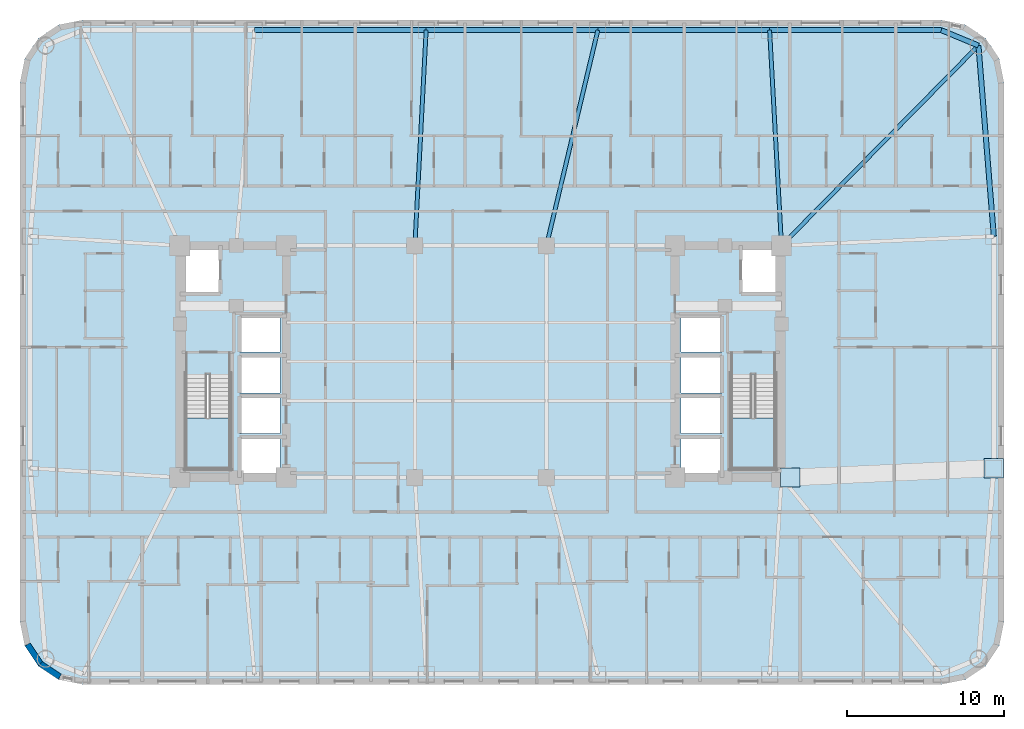
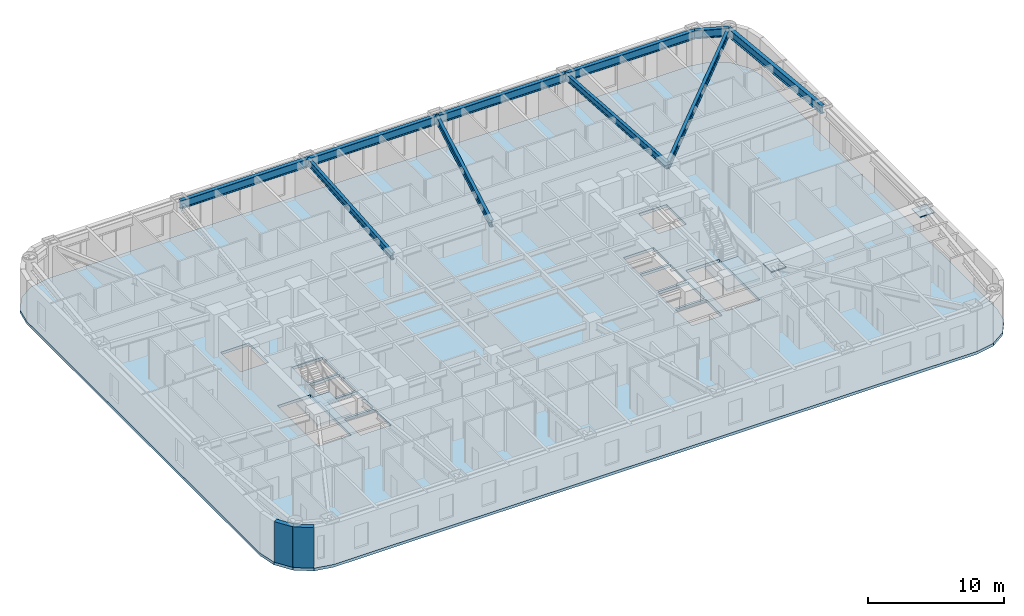
# One storey, part 2 of 13: 10 beams, 3 slabs, 2 plates, 2 walls, 2 elements without a shape of their own.
"""IFC4 building model written with IfcOpenShell, lengths in metres."""

from ifc_helpers import new_model, si_unit, direction, frame, frame_2d, origin, origin_2d, place, context, subcontext, project, spatial, polyline, rectangle, i_section, outline, extrude, material, layer, layer_set, material_profile, profile_set, type_object, element, aggregate, save


model = new_model("IFC4")

# Units and contexts
model_context = context("Model", 3, precision=1e-05, world=origin(), true_north=direction((0.0, 1.0)))
body_context = subcontext(model_context, "Body", "Model", "MODEL_VIEW")
ifc_project = project(units=[si_unit("LENGTHUNIT", "METRE"), si_unit("AREAUNIT", "SQUARE_METRE"), si_unit("VOLUMEUNIT", "CUBIC_METRE"), si_unit("PLANEANGLEUNIT", "RADIAN"), si_unit("MASSUNIT", "GRAM", prefix="KILO")], contexts=[model_context])

# Site, building, storey
site_placement = place(None, origin())
site = spatial("IfcSite", under=ifc_project, at=site_placement, CompositionType="ELEMENT")
building_placement = place(site_placement, origin())
building = spatial("IfcBuilding", under=site, at=building_placement, Name="Voryun Gate Residences", CompositionType="ELEMENT")
storey_placement = place(building_placement, frame((0.0, 0.0, 120.89990234375)))
storey = spatial("IfcBuildingStorey", under=building, at=storey_placement, Name="L29", CompositionType="ELEMENT", Elevation=120.89990234375)

# Beams
ifc_material_1 = material(Name="Steel SM355", Category="steel")
ifc_material_profile_1 = material_profile(ifc_material_1, i_section(OverallWidth=0.320068359375, OverallDepth=0.75, WebThickness=0.01611328125, FlangeThickness=0.028076171875, FilletRadius=0.01806640625, at=origin_2d()), Name="H-750x320x16x28")
ifc_profile_set_1 = profile_set([ifc_material_profile_1], Name="Steel SM355")
beam_type_1 = type_object("IfcBeamType", Name="BM_EXO_SPANDREL_L", PredefinedType="SPANDREL", material=ifc_profile_set_1)
beam_1_placement = place(storey_placement, frame((32.75, 7.998046875, 3.275146484375), z_axis=(-0.080359517973, 0.996765944378, 0.0), x_axis=(-0.996765944378, -0.080359517973, 0.0)))
element("IfcBeam", 1, at=beam_1_placement, inside=storey, type_object=beam_type_1, Name="BM-L29-SPAND-09", PredefinedType="SPANDREL", context=body_context, shape_type="SweptSolid", body=[
    extrude(i_section(OverallWidth=0.320068359375, OverallDepth=0.75, WebThickness=0.01611328125, FlangeThickness=0.028076171875, FilletRadius=0.01806640625, at=origin_2d()), origin(), (0.0, 0.0, 1.0), 12.210205078125),
])
beam_2_placement = place(storey_placement, frame((31.768798828125, 20.168701171875, 3.275146484375), z_axis=(-0.923883376753, 0.382674151414, 0.0), x_axis=(-0.382674151414, -0.923883376753, 0.0)))
element("IfcBeam", 2, at=beam_2_placement, inside=storey, type_object=beam_type_1, Name="BM-L29-SPAND-10", PredefinedType="SPANDREL", context=body_context, shape_type="SweptSolid", body=[
    extrude(i_section(OverallWidth=0.320068359375, OverallDepth=0.75, WebThickness=0.01611328125, FlangeThickness=0.028076171875, FilletRadius=0.01806640625, at=origin_2d()), origin(), (0.0, 0.0, 1.0), 2.56396484375),
])
for number, where, z_axis, x_axis, name in (
    (3, (29.39990234375, 21.14990234375, 3.275146484375), (-1.0, 0.0, 0.0), (0.0, -1.0, 0.0), "BM-L29-SPAND-11"),
    (4, (18.43994140625, 21.14990234375, 3.275146484375), (-1.0, 0.0, 0.0), (0.0, -1.0, 0.0), "BM-L29-SPAND-12"),
    (5, (7.47998046875, 21.14990234375, 3.275146484375), (-1.0, 0.0, 0.0), (0.0, -1.0, 0.0), "BM-L29-SPAND-13"),
    (6, (-3.47998046875, 21.14990234375, 3.275146484375), (-1.0, 0.0, 0.0), (0.0, -1.0, 0.0), "BM-L29-SPAND-14"),
):
    element("IfcBeam", number, at=place(storey_placement, frame(where, z_axis=z_axis, x_axis=x_axis)), inside=storey, type_object=beam_type_1, Name=name, PredefinedType="SPANDREL", context=body_context, shape_type="SweptSolid", body=[
        extrude(i_section(OverallWidth=0.320068359375, OverallDepth=0.75, WebThickness=0.01611328125, FlangeThickness=0.028076171875, FilletRadius=0.01806640625, at=origin_2d()), origin(), (0.0, 0.0, 1.0), 10.9599609375),
    ])
ifc_material_2 = material(Name="Steel SM355", Category="steel")
ifc_material_profile_2 = material_profile(ifc_material_2, i_section(OverallWidth=0.25, OverallDepth=0.60009765625, WebThickness=0.011962890625, FlangeThickness=0.02197265625, FilletRadius=0.01806640625, at=origin_2d()), Name="H-600x250x12x22")
ifc_profile_set_2 = profile_set([ifc_material_profile_2], Name="Steel SM355")
beam_type_2 = type_object("IfcBeamType", Name="BM_GIRD_600", PredefinedType="USERDEFINED", material=ifc_profile_set_2)
beam_3_placement = place(storey_placement, frame((19.199951171875, 7.39990234375, 3.35009765625), z_axis=(0.701504829324, 0.712664699866, 0.0), x_axis=(-0.712664699866, 0.701504829324, 0.0)))
element("IfcBeam", 7, at=beam_3_placement, inside=storey, type_object=beam_type_2, Name="BM-L29-RAD-CNE", ObjectType="GIRDER", PredefinedType="USERDEFINED", context=body_context, shape_type="SweptSolid", body=[
    extrude(i_section(OverallWidth=0.25, OverallDepth=0.60009765625, WebThickness=0.011962890625, FlangeThickness=0.02197265625, FilletRadius=0.01806640625, at=origin_2d()), origin(), (0.0, 0.0, 1.0), 17.9169921875),
])
beam_4_placement = place(storey_placement, frame((19.199951171875, 7.39990234375, 3.35009765625), z_axis=(-0.055189196078, 0.9984759149, 0.0), x_axis=(-0.9984759149, -0.055189196078, 0.0)))
element("IfcBeam", 8, at=beam_4_placement, inside=storey, type_object=beam_type_2, Name="BM-L29-RAD-N2", ObjectType="GIRDER", PredefinedType="USERDEFINED", context=body_context, shape_type="SweptSolid", body=[
    extrude(i_section(OverallWidth=0.25, OverallDepth=0.60009765625, WebThickness=0.011962890625, FlangeThickness=0.02197265625, FilletRadius=0.01806640625, at=origin_2d()), origin(), (0.0, 0.0, 1.0), 13.77099609375),
])
beam_5_placement = place(storey_placement, frame((4.199951171875, 7.39990234375, 3.35009765625), z_axis=(0.232036902087, 0.972706983665, 0.0), x_axis=(-0.972706983665, 0.232036902087, 0.0)))
element("IfcBeam", 9, at=beam_5_placement, inside=storey, type_object=beam_type_2, Name="BM-L29-RAD-N3", ObjectType="GIRDER", PredefinedType="USERDEFINED", context=body_context, shape_type="SweptSolid", body=[
    extrude(i_section(OverallWidth=0.25, OverallDepth=0.60009765625, WebThickness=0.011962890625, FlangeThickness=0.02197265625, FilletRadius=0.01806640625, at=origin_2d()), origin(), (0.0, 0.0, 1.0), 14.1357421875),
])
beam_6_placement = place(storey_placement, frame((-4.199951171875, 7.39990234375, 3.35009765625), z_axis=(0.052289872463, 0.998631948837, 0.0), x_axis=(-0.998631948837, 0.052289872463, 0.0)))
element("IfcBeam", 10, at=beam_6_placement, inside=storey, type_object=beam_type_2, Name="BM-L29-RAD-N4", ObjectType="GIRDER", PredefinedType="USERDEFINED", context=body_context, shape_type="SweptSolid", body=[
    extrude(i_section(OverallWidth=0.25, OverallDepth=0.60009765625, WebThickness=0.011962890625, FlangeThickness=0.02197265625, FilletRadius=0.01806640625, at=origin_2d()), origin(), (0.0, 0.0, 1.0), 13.768798828125),
])

# Plates
ifc_material_3 = material(Name="Steel SM355", Category="steel")
ifc_layer_1 = layer(ifc_material_3, 0.02490234375, Name="PLT_END_CAP_25")
ifc_layer_set_1 = layer_set([ifc_layer_1], Name="Steel SM355")
plate_type = type_object("IfcPlateType", Name="PLT_END_CAP_25", PredefinedType="USERDEFINED", material=ifc_layer_set_1)
for number, where, z_axis, x_axis, name in (
    (11, (19.75, -7.39990234375, 3.06005859375), (0.0, 0.0, 1.0), (1.0, 0.0, 0.0), "L29 Hollow Member End-Cap Plate EC-384"),
    (12, (32.75, -6.798095703125, 3.06005859375), (0.0, 0.0, 1.0), (1.0, 0.0, 0.0), "L29 Hollow Member End-Cap Plate EC-385"),
):
    element("IfcPlate", number, at=place(storey_placement, frame(where, z_axis=z_axis, x_axis=x_axis)), inside=storey, type_object=plate_type, Name=name, ObjectType="BASE_PLATE", PredefinedType="USERDEFINED", context=body_context, shape_type="SweptSolid", body=[
        extrude(rectangle(XDim=1.239990234375, YDim=1.239990234375, at=origin_2d()), origin(), (0.0, 0.0, 1.0), 0.080078125),
    ])

# Slab
ifc_material_4 = material(Name="Concrete C40/50", Category="concrete")
ifc_layer_2 = layer(ifc_material_4, 0.25, Name="SLB_RES_250")
ifc_layer_set_2 = layer_set([ifc_layer_2], Name="Concrete C40/50")
slab_type_1 = type_object("IfcSlabType", Name="SLB_RES_250", PredefinedType="FLOOR", material=ifc_layer_set_2)
slab_1_placement = place(storey_placement, frame((0.0, 0.0, -0.25)))
element("IfcSlab", 13, at=slab_1_placement, inside=storey, type_object=slab_type_1, Name="L29 Structural Floor Slab", PredefinedType="FLOOR", context=body_context, shape_type="SweptSolid", body=[
    extrude(outline(polyline([(-25.39990234375, -20.60009765625), (-26.9306640625, -20.29541015625), (-28.228515625, -19.428466796875), (-29.095458984375, -18.130615234375), (-29.39990234375, -16.60009765625), (-29.39990234375, 17.800048828125), (-29.095458984375, 19.330810546875), (-28.228515625, 20.62841796875), (-26.9306640625, 21.49560546875), (-25.39990234375, 21.800048828125), (29.39990234375, 21.800048828125), (30.9306640625, 21.49560546875), (32.228515625, 20.62841796875), (33.095458984375, 19.330810546875), (33.39990234375, 17.800048828125), (33.39990234375, -16.60009765625), (33.095458984375, -18.130615234375), (32.228515625, -19.428466796875), (30.9306640625, -20.29541015625), (29.39990234375, -20.60009765625), (-25.39990234375, -20.60009765625)]), holes=[polyline([(-12.800048828125, -4.800048828125), (-15.39990234375, -4.800048828125), (-15.39990234375, -7.199951171875), (-12.800048828125, -7.199951171875), (-12.800048828125, -4.800048828125)]), polyline([(-18.824951171875, -6.85009765625), (-15.97509765625, -6.85009765625), (-15.97509765625, -0.840087890625), (-18.824951171875, -0.840087890625), (-18.824951171875, -6.85009765625)]), polyline([(-12.800048828125, -4.60009765625), (-12.800048828125, -2.199951171875), (-15.39990234375, -2.199951171875), (-15.39990234375, -4.60009765625), (-12.800048828125, -4.60009765625)]), polyline([(-12.800048828125, 0.39990234375), (-15.39990234375, 0.39990234375), (-15.39990234375, -2.0), (-12.800048828125, -2.0), (-12.800048828125, 0.39990234375)]), polyline([(-12.800048828125, 0.60009765625), (-12.800048828125, 2.89990234375), (-15.39990234375, 2.89990234375), (-15.39990234375, 0.60009765625), (-12.800048828125, 0.60009765625)]), polyline([(-16.60009765625, 4.300048828125), (-16.60009765625, 7.199951171875), (-19.0, 7.199951171875), (-19.0, 4.300048828125), (-16.60009765625, 4.300048828125)]), polyline([(15.39990234375, -4.800048828125), (12.800048828125, -4.800048828125), (12.800048828125, -7.199951171875), (15.39990234375, -7.199951171875), (15.39990234375, -4.800048828125)]), polyline([(15.97509765625, -6.85009765625), (18.824951171875, -6.85009765625), (18.824951171875, -0.840087890625), (15.97509765625, -0.840087890625), (15.97509765625, -6.85009765625)]), polyline([(15.39990234375, -4.60009765625), (15.39990234375, -2.199951171875), (12.800048828125, -2.199951171875), (12.800048828125, -4.60009765625), (15.39990234375, -4.60009765625)]), polyline([(15.39990234375, 0.39990234375), (12.800048828125, 0.39990234375), (12.800048828125, -2.0), (15.39990234375, -2.0), (15.39990234375, 0.39990234375)]), polyline([(15.39990234375, 0.60009765625), (15.39990234375, 2.89990234375), (12.800048828125, 2.89990234375), (12.800048828125, 0.60009765625), (15.39990234375, 0.60009765625)]), polyline([(19.0, 4.300048828125), (19.0, 7.199951171875), (16.60009765625, 7.199951171875), (16.60009765625, 4.300048828125), (19.0, 4.300048828125)])]), origin(), (0.0, 0.0, 1.0), 0.25),
])

# Stair, slab
ifc_material_5 = material(Name="Concrete C40/50", Category="concrete")
stair_type = type_object("IfcStairType", Name="STR_CORE_DOGLEG_1350", PredefinedType="HALF_TURN_STAIR", material=ifc_material_5)
stair_1_placement = place(storey_placement, origin())
stair_1 = element("IfcStair", 14, at=stair_1_placement, inside=storey, type_object=stair_type, Name="L29 Special Escape Stair ST-W1", PredefinedType="HALF_TURN_STAIR")
ifc_material_6 = material(Name="Concrete C40/50", Category="concrete")
ifc_layer_3 = layer(ifc_material_6, 0.199951171875, Name="SLB_STAIR_LANDING_200")
ifc_layer_set_3 = layer_set([ifc_layer_3], Name="Concrete C40/50")
slab_type_2 = type_object("IfcSlabType", Name="SLB_STAIR_LANDING_200", PredefinedType="LANDING", material=ifc_layer_set_3)
slab_2_placement = place(storey_placement, frame((0.0, 0.0, 1.75)))
slab_2 = element("IfcSlab", 15, at=slab_2_placement, type_object=slab_type_2, Name="ST-W1 landing 1", PredefinedType="LANDING", context=body_context, shape_type="SweptSolid", body=[
    extrude(outline(polyline([(-18.824951171875, -3.60009765625), (-18.824951171875, -6.85009765625), (-15.97509765625, -6.85009765625), (-15.97509765625, -3.60009765625), (-18.824951171875, -3.60009765625)])), origin(), (0.0, 0.0, 1.0), 0.2001953125),
])
aggregate(stair_1, [slab_2])

stair_2_placement = place(storey_placement, origin())
stair_2 = element("IfcStair", 16, at=stair_2_placement, inside=storey, type_object=stair_type, Name="L29 Special Escape Stair ST-E1", PredefinedType="HALF_TURN_STAIR")
slab_3_placement = place(storey_placement, frame((0.0, 0.0, 1.75)))
slab_3 = element("IfcSlab", 17, at=slab_3_placement, type_object=slab_type_2, Name="ST-E1 landing 1", PredefinedType="LANDING", context=body_context, shape_type="SweptSolid", body=[
    extrude(outline(polyline([(15.97509765625, -3.60009765625), (15.97509765625, -6.85009765625), (18.824951171875, -6.85009765625), (18.824951171875, -3.60009765625), (15.97509765625, -3.60009765625)])), origin(), (0.0, 0.0, 1.0), 0.2001953125),
])
aggregate(stair_2, [slab_3])

# Walls
ifc_material_7 = material(Name="Granite masonry", Category="masonry")
ifc_layer_4 = layer(ifc_material_7, 0.3798828125, Name="W_EXT_GRANITE_380")
ifc_layer_set_4 = layer_set([ifc_layer_4], Name="Granite masonry")
wall_type = type_object("IfcWallType", Name="W_EXT_GRANITE_380", PredefinedType="ELEMENTEDWALL", material=ifc_layer_set_4)
wall_1_placement = place(storey_placement, frame((-26.856689453125, -20.116455078125, 0.0), z_axis=(0.0, 0.0, 1.0), x_axis=(-0.831468045563, 0.555572577804, 0.0)))
element("IfcWall", 18, at=wall_1_placement, inside=storey, type_object=wall_type, Name="Exterior wall WEXT-L29-03", PredefinedType="ELEMENTEDWALL", context=body_context, shape_type="SweptSolid", body=[
    extrude(rectangle(XDim=1.48486328125, YDim=0.3798828125, at=frame_2d((0.742431640625, 0.0))), origin(), (0.0, 0.0, 1.0), 3.650146484375),
])
wall_2_placement = place(storey_placement, frame((-28.09130859375, -19.29150390625, 0.0), z_axis=(0.0, 0.0, 1.0), x_axis=(-0.555610286119, 0.831442848281, 0.0)))
element("IfcWall", 19, at=wall_2_placement, inside=storey, type_object=wall_type, Name="Exterior wall WEXT-L29-04", PredefinedType="ELEMENTEDWALL", context=body_context, shape_type="SweptSolid", body=[
    extrude(rectangle(XDim=1.485107421875, YDim=0.3798828125, at=frame_2d((0.74267578125, 0.0))), origin(), (0.0, 0.0, 1.0), 3.650146484375),
])

save(model, "model.ifc")
